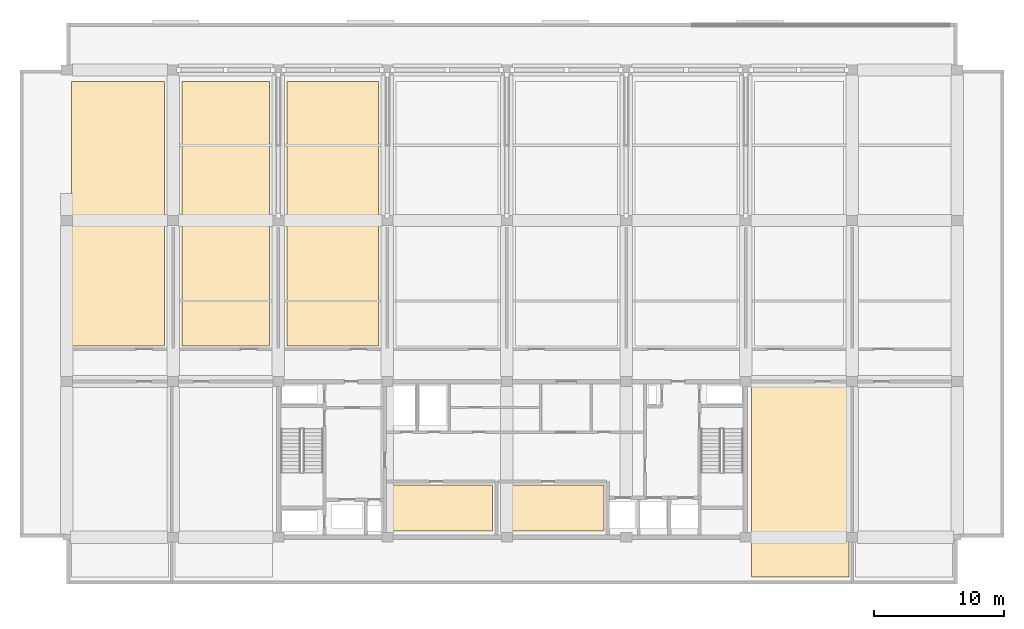
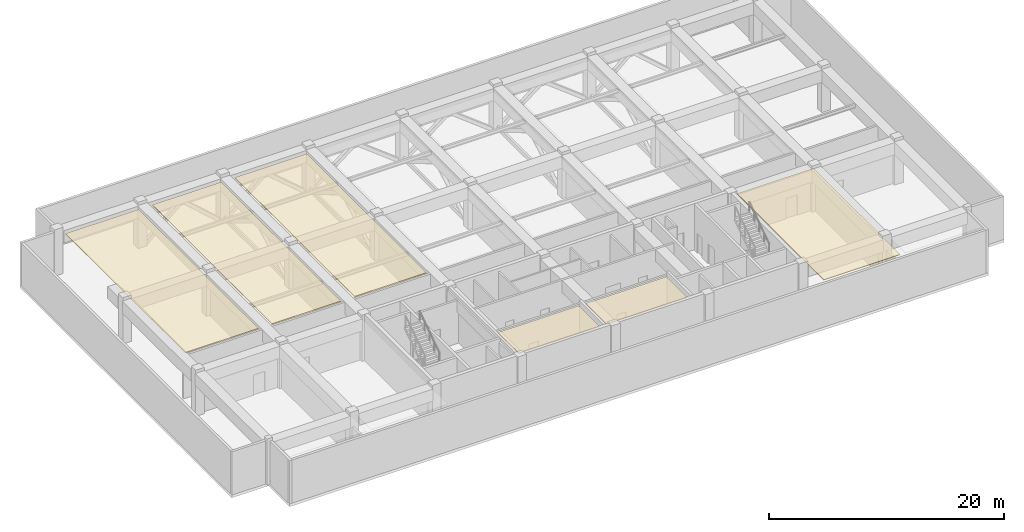
# One storey, part 9 of 11: 6 coverings.
"""IFC4 building model written with IfcOpenShell, lengths in metres."""

from ifc_helpers import new_model, si_unit, direction, frame, origin, place, context, subcontext, project, spatial, polyline, outline, extrude, material, layer, layer_set, type_object, element, save


model = new_model("IFC4")

# Units and contexts
model_context = context("Model", 3, precision=1e-05, world=origin(), true_north=direction((0.0, 1.0)))
body_context = subcontext(model_context, "Body", "Model", "MODEL_VIEW")
ifc_project = project(units=[si_unit("LENGTHUNIT", "METRE"), si_unit("AREAUNIT", "SQUARE_METRE"), si_unit("VOLUMEUNIT", "CUBIC_METRE"), si_unit("PLANEANGLEUNIT", "RADIAN"), si_unit("MASSUNIT", "GRAM", prefix="KILO")], contexts=[model_context])

# Site, building, storey
site_placement = place(None, origin())
site = spatial("IfcSite", under=ifc_project, at=site_placement, CompositionType="ELEMENT")
building_placement = place(site_placement, origin())
building = spatial("IfcBuilding", under=site, at=building_placement, Name="Korimba Cascade Residences", CompositionType="ELEMENT")
storey_placement = place(building_placement, frame((0.0, 0.0, 223.85009765625)))
storey = spatial("IfcBuildingStorey", under=building, at=storey_placement, Name="L65", CompositionType="ELEMENT", Elevation=223.85009765625)

# Coverings
ifc_material = material(Name="Mineral Wool Thermal Acoustic Insulation", Category="insulation")
ifc_layer = layer(ifc_material, 0.06005859375)
ifc_layer_set = layer_set([ifc_layer], Name="Mineral Wool Thermal Acoustic Insulation")
covering_type = type_object("IfcCoveringType", Name="COV-INS-60", PredefinedType="INSULATION", material=ifc_layer_set)
covering_1_placement = place(storey_placement, frame((0.0, 0.0, 4.419921875)))
element("IfcCovering", 1, at=covering_1_placement, inside=storey, type_object=covering_type, Name="L65 Mineral Wool Acoustic Soffit Insulation L65-SR1", PredefinedType="INSULATION", context=body_context, shape_type="SweptSolid", body=[
    extrude(outline(polyline([(84.64990234375, 55.699951171875), (92.60009765625, 55.699951171875), (92.60009765625, 59.22998046875), (84.64990234375, 59.22998046875), (84.64990234375, 55.699951171875)])), origin(), (0.0, 0.0, 1.0), 0.06005859375),
])
covering_2_placement = place(storey_placement, frame((0.0, 0.0, 4.419921875)))
element("IfcCovering", 2, at=covering_2_placement, inside=storey, type_object=covering_type, Name="L65 Mineral Wool Acoustic Soffit Insulation L65-WCEL1", PredefinedType="INSULATION", context=body_context, shape_type="SweptSolid", body=[
    extrude(outline(polyline([(93.25, 55.699951171875), (101.199951171875, 55.699951171875), (101.199951171875, 59.22998046875), (93.25, 59.22998046875), (93.25, 55.699951171875)])), origin(), (0.0, 0.0, 1.0), 0.06005859375),
])
covering_3_placement = place(storey_placement, frame((0.0, 0.0, 4.419921875)))
element("IfcCovering", 3, at=covering_3_placement, inside=storey, type_object=covering_type, Name="L65 Mineral Wool Acoustic Soffit Insulation L65-PL11", PredefinedType="INSULATION", context=body_context, shape_type="SweptSolid", body=[
    extrude(outline(polyline([(60.14990234375, 69.949951171875), (67.330078125, 69.949951171875), (67.330078125, 90.300048828125), (60.14990234375, 90.300048828125), (60.14990234375, 69.949951171875)])), origin(), (0.0, 0.0, 1.0), 0.06005859375),
])
covering_4_placement = place(storey_placement, frame((0.0, 0.0, 4.419921875)))
element("IfcCovering", 4, at=covering_4_placement, inside=storey, type_object=covering_type, Name="L65 Mineral Wool Acoustic Soffit Insulation L65-PL12", PredefinedType="INSULATION", context=body_context, shape_type="SweptSolid", body=[
    extrude(outline(polyline([(68.669921875, 69.949951171875), (75.429931640625, 69.949951171875), (75.429931640625, 90.300048828125), (68.669921875, 90.300048828125), (68.669921875, 69.949951171875)])), origin(), (0.0, 0.0, 1.0), 0.06005859375),
])
covering_5_placement = place(storey_placement, frame((0.0, 0.0, 4.419921875)))
element("IfcCovering", 5, at=covering_5_placement, inside=storey, type_object=covering_type, Name="L65 Mineral Wool Acoustic Soffit Insulation L65-PL13", PredefinedType="INSULATION", context=body_context, shape_type="SweptSolid", body=[
    extrude(outline(polyline([(76.77001953125, 69.949951171875), (83.830078125, 69.949951171875), (83.830078125, 90.300048828125), (76.77001953125, 90.300048828125), (76.77001953125, 69.949951171875)])), origin(), (0.0, 0.0, 1.0), 0.06005859375),
])
covering_6_placement = place(storey_placement, frame((0.0, 0.0, 4.419921875)))
element("IfcCovering", 6, at=covering_6_placement, inside=storey, type_object=covering_type, Name="L65 Mineral Wool Acoustic Soffit Insulation L65-RWE1", PredefinedType="INSULATION", context=body_context, shape_type="SweptSolid", body=[
    extrude(outline(polyline([(112.550048828125, 52.14990234375), (120.050048828125, 52.14990234375), (120.050048828125, 66.89990234375), (112.550048828125, 66.89990234375), (112.550048828125, 52.14990234375)])), origin(), (0.0, 0.0, 1.0), 0.06005859375),
])

save(model, "model.ifc")
